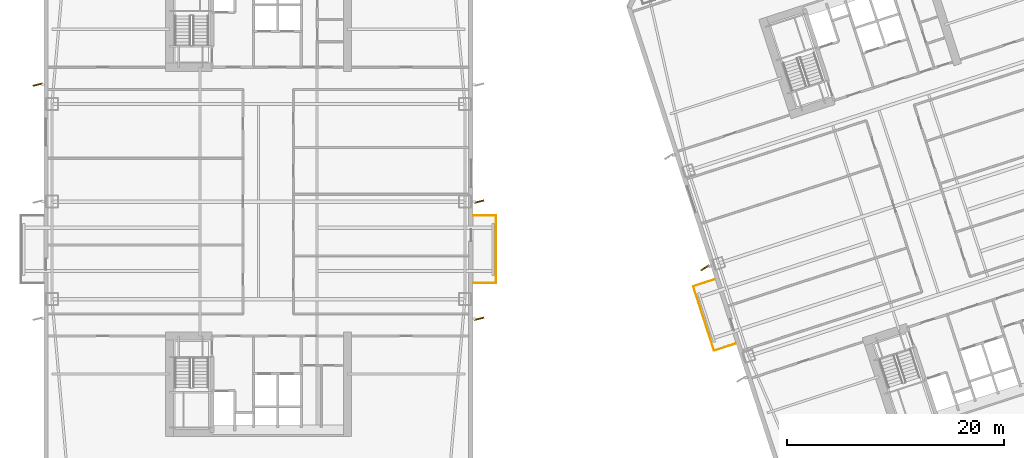
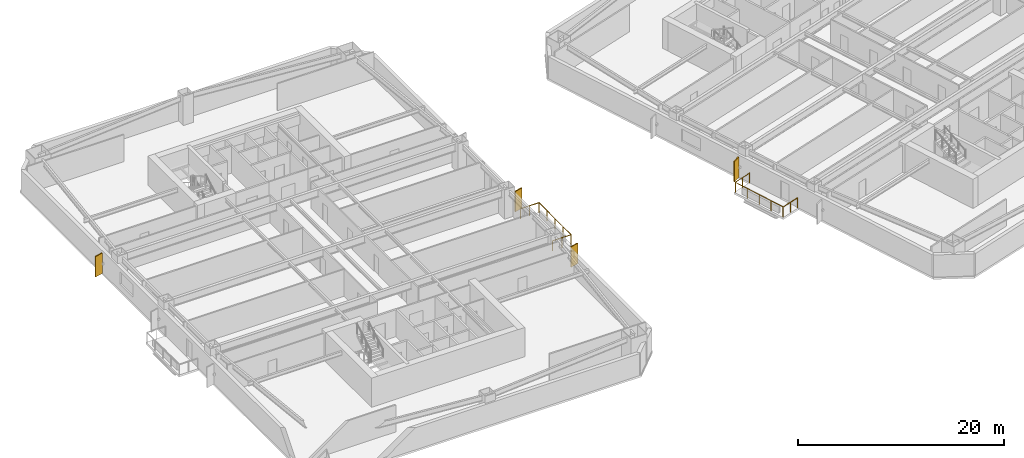
# One storey, part 14 of 18: 4 shading devices, 2 railings.
"""IFC4 building model written with IfcOpenShell, lengths in metres."""

import ifcopenshell
import ifcopenshell.guid

model = None  # the IFC model being written
_history = None  # IfcOwnerHistory: only IFC2X3 demands one
_inside = {}  # id of a spatial element -> (the spatial element, [elements in it])
_under = {}  # id of a project, library or spatial element -> (it, [spatial elements below it])
_declared = {}  # id of a project -> (the project, [libraries it declares])
_typed = {}  # id of a type object -> (the type object, [elements of that type])
_made_of = {}  # id of a material, layer set ... -> (it, [elements and type objects made of it])


def new_model(schema):
    """Start an empty IFC model of exactly this schema.

    Asked for "IFC4X3", IfcOpenShell would pick the latest addendum, in which some entities
    have other attributes; the version numbers below select the first issue.
    IFC2X3 requires an IfcOwnerHistory on every rooted entity: one is made here for all.
    """
    global model, _history
    if schema == "IFC4X3":
        model = ifcopenshell.file(schema_version=(4, 3, 0, 0))
    else:
        model = ifcopenshell.file(schema=schema)
    _inside.clear()
    _under.clear()
    _declared.clear()
    _typed.clear()
    _made_of.clear()
    _history = None
    if model.schema == "IFC2X3":
        org = make("IfcOrganization", Name="unknown")
        user = make(
            "IfcPersonAndOrganization",
            ThePerson=make("IfcPerson", FamilyName="unknown"),
            TheOrganization=org,
        )
        app = make(
            "IfcApplication",
            ApplicationDeveloper=org,
            Version="unknown",
            ApplicationFullName="unknown",
            ApplicationIdentifier="unknown",
        )
        _history = make(
            "IfcOwnerHistory",
            OwningUser=user,
            OwningApplication=app,
            ChangeAction="ADDED",
            CreationDate=0,
        )
    return model


def make(cls, **values):
    """One entity of the class cls with the attributes given. An attribute that is None is left unset."""
    return model.create_entity(
        cls, **{name: value for name, value in values.items() if value is not None}
    )


def rooted(cls, **values):
    """An entity with a GlobalId (a new one), such as an element, a storey or a relation."""
    return make(cls, GlobalId=ifcopenshell.guid.new(), OwnerHistory=_history, **values)


def si_unit(unit_type, name, prefix=None):
    """IfcSIUnit, for example si_unit("LENGTHUNIT", "METRE", prefix="MILLI")."""
    return make("IfcSIUnit", UnitType=unit_type, Prefix=prefix, Name=name)


def assignment(units):
    """IfcUnitAssignment: the units of a project."""
    return None if units is None else make("IfcUnitAssignment", Units=units)


def point(xyz):
    """IfcCartesianPoint."""
    return None if xyz is None else make("IfcCartesianPoint", Coordinates=xyz)


def direction(xyz):
    """IfcDirection."""
    return None if xyz is None else make("IfcDirection", DirectionRatios=xyz)


def frame(location, z_axis=None, x_axis=None):
    """IfcAxis2Placement3D, a coordinate frame: its origin and axes. An axis left out is left unset."""
    return make(
        "IfcAxis2Placement3D",
        Location=point(location),
        Axis=direction(z_axis),
        RefDirection=direction(x_axis),
    )


def frame_2d(location, x_axis=None):
    """IfcAxis2Placement2D, a coordinate frame in the plane: its origin and x axis."""
    return make(
        "IfcAxis2Placement2D", Location=point(location), RefDirection=direction(x_axis)
    )


def origin():
    """The frame at (0, 0, 0) with its axes left unset."""
    return frame((0.0, 0.0, 0.0))


def origin_2d():
    """The frame at (0, 0) in the plane with its x axis left unset."""
    return frame_2d((0.0, 0.0))


def place(relative_to, where):
    """IfcLocalPlacement: puts the frame where relative to a parent placement (None: the world)."""
    return make(
        "IfcLocalPlacement", PlacementRelTo=relative_to, RelativePlacement=where
    )


def context(
    kind, dimensions, precision=None, world=None, true_north=None, identifier=None
):
    """IfcGeometricRepresentationContext, for example the 3D "Model" context."""
    return make(
        "IfcGeometricRepresentationContext",
        ContextIdentifier=identifier,
        ContextType=kind,
        CoordinateSpaceDimension=dimensions,
        Precision=precision,
        WorldCoordinateSystem=world,
        TrueNorth=true_north,
    )


def subcontext(parent, identifier, kind, view, scale=None):
    """IfcGeometricRepresentationSubContext, for example "Body" below "Model"."""
    return make(
        "IfcGeometricRepresentationSubContext",
        ContextIdentifier=identifier,
        ContextType=kind,
        ParentContext=parent,
        TargetScale=scale,
        TargetView=view,
    )


def project(units=None, contexts=None):
    """IfcProject with its units and contexts."""
    return rooted(
        "IfcProject",
        Name="project",
        RepresentationContexts=contexts,
        UnitsInContext=assignment(units),
    )


def spatial(cls, under=None, at=None, **own):
    """A site, building, storey or space (cls), placed at a placement, below another one or the project."""
    s = rooted(cls, ObjectPlacement=at, **own)
    if under is not None:
        _under.setdefault(under.id(), (under, []))[1].append(s)
    return s


def profile(cls, at=None, kind="AREA", **sizes):
    """A parametric profile (cls). Its sizes go by their IFC names, for example OverallWidth=200.0."""
    return make(cls, ProfileType=kind, Position=at, **sizes)


def rectangle(**sizes):
    """IfcRectangleProfileDef."""
    return profile("IfcRectangleProfileDef", **sizes)


def circle(**sizes):
    """IfcCircleProfileDef."""
    return profile("IfcCircleProfileDef", **sizes)


def extrude(swept, where, along, depth):
    """IfcExtrudedAreaSolid: the profile swept, set in the frame where, extruded along a direction by depth."""
    return make(
        "IfcExtrudedAreaSolid",
        SweptArea=swept,
        Position=where,
        ExtrudedDirection=direction(along),
        Depth=depth,
    )


def shape(context_of_items, identifier, shape_type, items):
    """IfcShapeRepresentation: the items that make up one representation, for example the "Body"."""
    return make(
        "IfcShapeRepresentation",
        ContextOfItems=context_of_items,
        RepresentationIdentifier=identifier,
        RepresentationType=shape_type,
        Items=items,
    )


def material(Name=None, Category=None):
    """IfcMaterial."""
    return make("IfcMaterial", Name=Name, Category=Category)


def layer(
    of_material, thickness, ventilated=None, Name=None, Category=None, Priority=None
):
    """IfcMaterialLayer: one layer of a wall or slab, of a material (None: an air gap)."""
    return make(
        "IfcMaterialLayer",
        Material=of_material,
        LayerThickness=thickness,
        IsVentilated=ventilated,
        Name=Name,
        Category=Category,
        Priority=Priority,
    )


def layer_set(layers, Name=None):
    """IfcMaterialLayerSet."""
    return make("IfcMaterialLayerSet", MaterialLayers=layers, LayerSetName=Name)


def made_of(thing, what):
    """Note that an element or type object is made of a material, layer set ...; save() writes the relation."""
    if what is not None:
        _made_of.setdefault(what.id(), (what, []))[1].append(thing)
    return thing


def type_object(cls, material=None, **own):
    """A type object (cls), such as IfcWallType, which elements share."""
    return made_of(rooted(cls, **own), material)


def element(
    cls,
    number,
    at=None,
    inside=None,
    cuts=None,
    type_object=None,
    material=None,
    context=None,
    identifier="Body",
    shape_type=None,
    held_by="IfcProductDefinitionShape",
    body=None,
    shapes=None,
    **own,
):
    """One element of the class cls, such as IfcWall. Its Tag is "e" and its number.

    at: its placement. inside: the storey or other place that contains it. cuts: it is an
    opening in that element (IfcRelVoidsElement). A single representation is given by context,
    identifier, shape_type and body (its items); several are given by shapes. held_by: the class
    of the entity that holds the representations. save() writes the other relations.
    """
    e = rooted(cls, Tag="e%d" % number, ObjectPlacement=at, **own)
    if body is not None:
        shapes = [shape(context, identifier, shape_type, body)]
    if shapes is not None:
        e.Representation = make(held_by, Representations=shapes)
    if inside is not None:
        _inside.setdefault(inside.id(), (inside, []))[1].append(e)
    if cuts is not None:
        rooted(
            "IfcRelVoidsElement", RelatingBuildingElement=cuts, RelatedOpeningElement=e
        )
    if type_object is not None:
        _typed.setdefault(type_object.id(), (type_object, []))[1].append(e)
    return made_of(e, material)


def aggregate(whole, parts):
    """IfcRelAggregates: a whole, such as a stair, and the parts it consists of."""
    return rooted("IfcRelAggregates", RelatingObject=whole, RelatedObjects=parts)


def save(model, path):
    """Write the relations noted so far, then the file.

    IfcRelAggregates (storeys below a building ...), IfcRelContainedInSpatialStructure (elements
    in a storey), IfcRelDefinesByType, IfcRelAssociatesMaterial and IfcRelDeclares: one each for
    every whole, place, type object, material and project.
    """
    for whole, parts in _under.values():
        aggregate(whole, parts)
    for where, things in _inside.values():
        rooted(
            "IfcRelContainedInSpatialStructure",
            RelatedElements=things,
            RelatingStructure=where,
        )
    for kind, things in _typed.values():
        rooted("IfcRelDefinesByType", RelatedObjects=things, RelatingType=kind)
    for what, things in _made_of.values():
        rooted("IfcRelAssociatesMaterial", RelatedObjects=things, RelatingMaterial=what)
    for by, libraries in _declared.values():
        rooted("IfcRelDeclares", RelatingContext=by, RelatedDefinitions=libraries)
    model.write(path)


model = new_model("IFC4")

# Units and contexts
model_context = context("Model", 3, precision=1e-05, world=origin(), true_north=direction((0.0, 1.0)))
body_context = subcontext(model_context, "Body", "Model", "MODEL_VIEW")
ifc_project = project(units=[si_unit("LENGTHUNIT", "METRE"), si_unit("AREAUNIT", "SQUARE_METRE"), si_unit("VOLUMEUNIT", "CUBIC_METRE"), si_unit("PLANEANGLEUNIT", "RADIAN"), si_unit("MASSUNIT", "GRAM", prefix="KILO")], contexts=[model_context])

# Site, building, storey
site_placement = place(None, origin())
site = spatial("IfcSite", under=ifc_project, at=site_placement, CompositionType="ELEMENT")
building_placement = place(site_placement, origin())
building = spatial("IfcBuilding", under=site, at=building_placement, Name="Qiaolan Cultural Towers", CompositionType="ELEMENT")
storey_placement = place(building_placement, frame((0.0, 0.0, 67.85009765625)))
storey = spatial("IfcBuildingStorey", under=building, at=storey_placement, Name="L16", CompositionType="ELEMENT", Elevation=67.85009765625)

# Railings
ifc_material_1 = material(Name="Laminated SentryGlas & Stainless Steel S31608 Balustrade", Category="steel")
railing_type = type_object("IfcRailingType", Name="GRD-TERR-1200", PredefinedType="BALUSTRADE", material=ifc_material_1)
railing_1_placement = place(storey_placement, frame((49.85009765625, 26.47998046875, 0.0)))
element("IfcRailing", 1, at=railing_1_placement, inside=storey, type_object=railing_type, Name="L16 T1 Tree Balcony Guardrail E", PredefinedType="BALUSTRADE", context=body_context, shape_type="SweptSolid", body=[
    extrude(circle(Radius=0.02392578125, at=origin_2d()), frame((0.0, 0.0, 1.17578125), z_axis=(1.0, 0.0, 0.0), x_axis=(0.0, 1.0, 0.0)), (0.0, 0.0, 1.0), 2.06982421875),
    extrude(circle(Radius=0.02392578125, at=origin_2d()), frame((2.06982421875, 0.0, 1.17578125), z_axis=(0.0, 1.0, 0.0), x_axis=(-1.0, 0.0, 0.0)), (0.0, 0.0, 1.0), 6.239990234375),
    extrude(circle(Radius=0.02392578125, at=origin_2d()), frame((2.06982421875, 6.239990234375, 1.17578125), z_axis=(-1.0, 0.0, 0.0), x_axis=(0.0, -1.0, 0.0)), (0.0, 0.0, 1.0), 2.06982421875),
    extrude(circle(Radius=0.02099609375, at=origin_2d()), origin(), (0.0, 0.0, 1.0), 1.15185546875),
    extrude(circle(Radius=0.02099609375, at=origin_2d()), frame((1.034912109375, 0.0, 0.0)), (0.0, 0.0, 1.0), 1.15185546875),
    extrude(circle(Radius=0.02099609375, at=origin_2d()), frame((2.06982421875, 0.0, 0.0)), (0.0, 0.0, 1.0), 1.15185546875),
    extrude(circle(Radius=0.02099609375, at=origin_2d()), frame((2.06982421875, 1.56005859375, 0.0)), (0.0, 0.0, 1.0), 1.15185546875),
    extrude(circle(Radius=0.02099609375, at=origin_2d()), frame((2.06982421875, 3.1201171875, 0.0)), (0.0, 0.0, 1.0), 1.15185546875),
    extrude(circle(Radius=0.02099609375, at=origin_2d()), frame((2.06982421875, 4.679931640625, 0.0)), (0.0, 0.0, 1.0), 1.15185546875),
    extrude(circle(Radius=0.02099609375, at=origin_2d()), frame((2.06982421875, 6.239990234375, 0.0)), (0.0, 0.0, 1.0), 1.15185546875),
    extrude(circle(Radius=0.02099609375, at=origin_2d()), frame((1.034912109375, 6.239990234375, 0.0)), (0.0, 0.0, 1.0), 1.15185546875),
    extrude(circle(Radius=0.02099609375, at=origin_2d()), frame((0.0, 6.239990234375, 0.0)), (0.0, 0.0, 1.0), 1.15185546875),
])
railing_2_placement = place(storey_placement, frame((74.015869140625, 20.8994140625, 0.0)))
element("IfcRailing", 2, at=railing_2_placement, inside=storey, type_object=railing_type, Name="L16 T2 Tree Balcony Guardrail W", PredefinedType="BALUSTRADE", context=body_context, shape_type="SweptSolid", body=[
    extrude(circle(Radius=0.02392578125, at=origin_2d()), frame((0.0, 0.0, 1.17578125), z_axis=(-0.951050536716, -0.309035397023, 0.0), x_axis=(0.309035397023, -0.951050536716, 0.0)), (0.0, 0.0, 1.0), 2.06982421875),
    extrude(circle(Radius=0.02392578125, at=origin_2d()), frame((-1.968505859375, -0.6396484375, 1.17578125), z_axis=(-0.309047146287, 0.951046718817, 0.0), x_axis=(-0.951046718817, -0.309047146287, 0.0)), (0.0, 0.0, 1.0), 6.239990234375),
    extrude(circle(Radius=0.02392578125, at=origin_2d()), frame((-3.89697265625, 5.294921875, 1.17578125), z_axis=(0.951061799618, 0.309000733507, 0.0), x_axis=(-0.309000733507, 0.951061799618, 0.0)), (0.0, 0.0, 1.0), 2.070068359375),
    extrude(circle(Radius=0.02099609375, at=origin_2d()), origin(), (0.0, 0.0, 1.0), 1.15185546875),
    extrude(circle(Radius=0.02099609375, at=origin_2d()), frame((-0.984375, -0.31982421875, 0.0)), (0.0, 0.0, 1.0), 1.15185546875),
    extrude(circle(Radius=0.02099609375, at=origin_2d()), frame((-1.968505859375, -0.6396484375, 0.0)), (0.0, 0.0, 1.0), 1.15185546875),
    extrude(circle(Radius=0.02099609375, at=origin_2d()), frame((-2.45068359375, 0.843994140625, 0.0)), (0.0, 0.0, 1.0), 1.15185546875),
    extrude(circle(Radius=0.02099609375, at=origin_2d()), frame((-2.9326171875, 2.32763671875, 0.0)), (0.0, 0.0, 1.0), 1.15185546875),
    extrude(circle(Radius=0.02099609375, at=origin_2d()), frame((-3.414794921875, 3.811279296875, 0.0)), (0.0, 0.0, 1.0), 1.15185546875),
    extrude(circle(Radius=0.02099609375, at=origin_2d()), frame((-3.89697265625, 5.294921875, 0.0)), (0.0, 0.0, 1.0), 1.15185546875),
    extrude(circle(Radius=0.02099609375, at=origin_2d()), frame((-2.91259765625, 5.61474609375, 0.0)), (0.0, 0.0, 1.0), 1.15185546875),
    extrude(circle(Radius=0.02099609375, at=origin_2d()), frame((-1.92822265625, 5.9345703125, 0.0)), (0.0, 0.0, 1.0), 1.15185546875),
])

# Shading devices
ifc_material_2 = material(Name="Dark Basalt Honed Precast Terracotta Fin", Category="masonry")
ifc_layer = layer(ifc_material_2, 0.1201171875)
ifc_layer_set = layer_set([ifc_layer], Name="Dark Basalt Honed Precast Terracotta Fin")
shading_device_type = type_object("IfcShadingDeviceType", Name="SHD-FIN-DARK", PredefinedType="USERDEFINED", material=ifc_layer_set)
for number, where, z_axis, x_axis, name in (
    (3, (9.639892578125, 44.800048828125, 0.10009765625), (0.0, 0.0, 1.0), (0.969891617581, 0.243536958479, 0.0), "L16 T1 Expressive Precast Vertical Fin W3"),
    (4, (50.360107421875, 23.199951171875, 0.10009765625), (0.0, 0.0, 1.0), (0.969891617581, 0.243536958479, 0.0), "L16 T1 Expressive Precast Vertical Fin E1"),
    (5, (50.360107421875, 34.0, 0.10009765625), (0.0, 0.0, 1.0), (0.969891617581, 0.243536958479, 0.0), "L16 T1 Expressive Precast Vertical Fin E2"),
    (6, (71.20703125, 27.893798828125, 0.10009765625), (0.0, 0.0, 1.0), (0.847164684072, 0.531330403855, 0.0), "L16 T2 Expressive Precast Vertical Fin W2"),
):
    element("IfcShadingDevice", number, at=place(storey_placement, frame(where, z_axis=z_axis, x_axis=x_axis)), inside=storey, type_object=shading_device_type, Name=name, ObjectType="FIN", PredefinedType="USERDEFINED", context=body_context, shape_type="SweptSolid", body=[
        extrude(rectangle(XDim=0.89990234375, YDim=0.1201171875, at=origin_2d()), origin(), (0.0, 0.0, 1.0), 2.409912109375),
    ])

save(model, "model.ifc")
